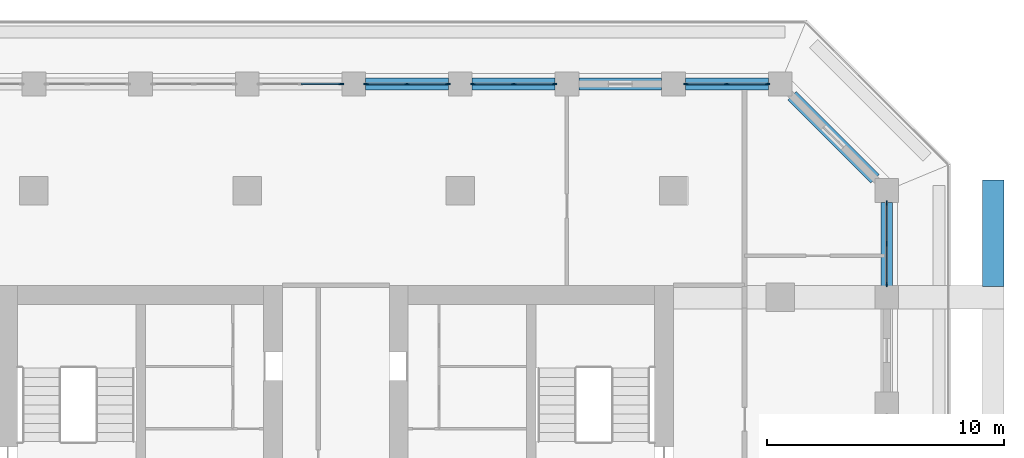
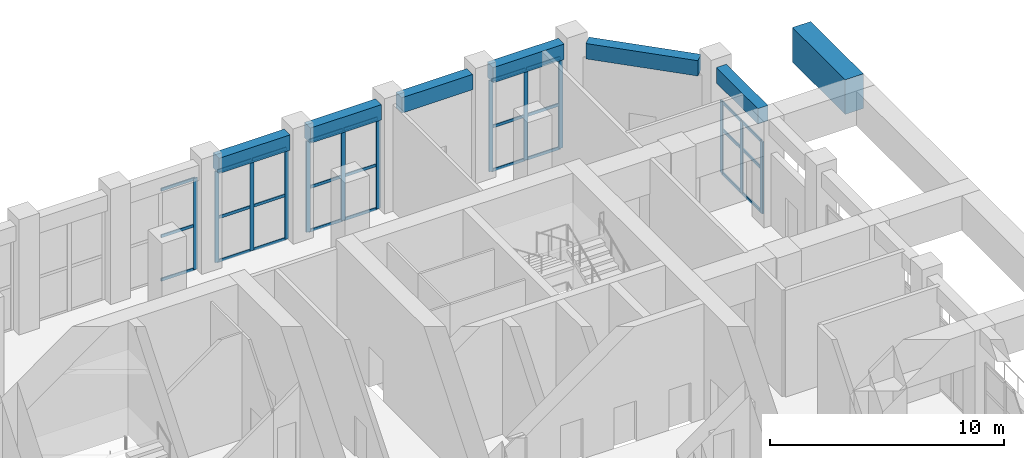
# One storey, part 9 of 25: 40 members, 7 beams, 5 elements without a shape of their own.
"""IFC4 building model written with IfcOpenShell, lengths in metres."""

from ifc_helpers import new_model, si_unit, direction, frame, origin, origin_2d, place, context, subcontext, project, spatial, rectangle, extrude, material, material_profile, profile_set, type_object, element, aggregate, save


model = new_model("IFC4")

# Units and contexts
model_context = context("Model", 3, precision=1e-05, world=origin(), true_north=direction((0.0, 1.0)))
body_context = subcontext(model_context, "Body", "Model", "MODEL_VIEW")
ifc_project = project(units=[si_unit("LENGTHUNIT", "METRE"), si_unit("AREAUNIT", "SQUARE_METRE"), si_unit("VOLUMEUNIT", "CUBIC_METRE"), si_unit("PLANEANGLEUNIT", "RADIAN"), si_unit("MASSUNIT", "GRAM", prefix="KILO")], contexts=[model_context])

# Site, building, storey
site_placement = place(None, origin())
site = spatial("IfcSite", under=ifc_project, at=site_placement, CompositionType="ELEMENT")
building_placement = place(site_placement, origin())
building = spatial("IfcBuilding", under=site, at=building_placement, Name="Corbel Stack Research Tower", CompositionType="ELEMENT")
storey_placement = place(building_placement, frame((0.0, 0.0, 185.5)))
storey = spatial("IfcBuildingStorey", under=building, at=storey_placement, Name="L42", CompositionType="ELEMENT", Elevation=185.5)

# Curtain wall, members
ifc_material_1 = material(Name="Aluminium frame, clear glass", Category="aluminium")
curtain_wall_type = type_object("IfcCurtainWallType", Name="Upper amenity floor curtain wall CW3", PredefinedType="NOTDEFINED", material=ifc_material_1)
curtain_wall_1_placement = place(storey_placement, origin())
curtain_wall_1 = element("IfcCurtainWall", 1, at=curtain_wall_1_placement, inside=storey, type_object=curtain_wall_type, Name="Curtain wall CW3 L42 E10", PredefinedType="NOTDEFINED")
ifc_material_2 = material(Name="Aluminium mullion", Category="aluminium")
ifc_material_profile_1 = material_profile(ifc_material_2, rectangle(XDim=0.06005859375, YDim=0.199951171875, at=origin_2d()), Name="Mullion 60 x 200")
ifc_profile_set_1 = profile_set([ifc_material_profile_1], Name="Aluminium mullion")
member_type_1 = type_object("IfcMemberType", Name="Curtain wall mullion 60 x 200", PredefinedType="MULLION", material=ifc_profile_set_1)
member_1_placement = place(storey_placement, frame((27.0, 18.530029296875, 0.0), z_axis=(0.0, 0.0, 1.0), x_axis=(-1.0, 0.0, 0.0)))
member_1 = element("IfcMember", 2, at=member_1_placement, type_object=member_type_1, Name="CW3 mullion 1", PredefinedType="MULLION", context=body_context, shape_type="SweptSolid", body=[
    extrude(rectangle(XDim=0.06005859375, YDim=0.199951171875, at=origin_2d()), origin(), (0.0, 0.0, 1.0), 3.75),
])
member_2_placement = place(storey_placement, frame((27.0, 20.25, 0.0), z_axis=(0.0, 0.0, 1.0), x_axis=(-1.0, 0.0, 0.0)))
member_2 = element("IfcMember", 3, at=member_2_placement, type_object=member_type_1, Name="CW3 mullion 2", PredefinedType="MULLION", context=body_context, shape_type="SweptSolid", body=[
    extrude(rectangle(XDim=0.06005859375, YDim=0.199951171875, at=origin_2d()), origin(), (0.0, 0.0, 1.0), 3.75),
])
member_3_placement = place(storey_placement, frame((27.0, 21.969970703125, 0.0), z_axis=(0.0, 0.0, 1.0), x_axis=(-1.0, 0.0, 0.0)))
member_3 = element("IfcMember", 4, at=member_3_placement, type_object=member_type_1, Name="CW3 mullion 3", PredefinedType="MULLION", context=body_context, shape_type="SweptSolid", body=[
    extrude(rectangle(XDim=0.06005859375, YDim=0.199951171875, at=origin_2d()), origin(), (0.0, 0.0, 1.0), 3.75),
])

curtain_wall_2_placement = place(storey_placement, origin())
curtain_wall_2 = element("IfcCurtainWall", 5, at=curtain_wall_2_placement, inside=storey, type_object=curtain_wall_type, Name="Curtain wall CW3 L42 N01", PredefinedType="NOTDEFINED")
member_4_placement = place(storey_placement, frame((21.969970703125, 27.0, 0.0), z_axis=(0.0, 0.0, 1.0), x_axis=(0.0, -1.0, 0.0)))
member_4 = element("IfcMember", 6, at=member_4_placement, type_object=member_type_1, Name="CW3 mullion 1", PredefinedType="MULLION", context=body_context, shape_type="SweptSolid", body=[
    extrude(rectangle(XDim=0.06005859375, YDim=0.199951171875, at=origin_2d()), origin(), (0.0, 0.0, 1.0), 4.75),
])
member_5_placement = place(storey_placement, frame((20.25, 27.0, 0.0), z_axis=(0.0, 0.0, 1.0), x_axis=(0.0, -1.0, 0.0)))
member_5 = element("IfcMember", 7, at=member_5_placement, type_object=member_type_1, Name="CW3 mullion 2", PredefinedType="MULLION", context=body_context, shape_type="SweptSolid", body=[
    extrude(rectangle(XDim=0.06005859375, YDim=0.199951171875, at=origin_2d()), origin(), (0.0, 0.0, 1.0), 4.75),
])
member_6_placement = place(storey_placement, frame((18.530029296875, 27.0, 0.0), z_axis=(0.0, 0.0, 1.0), x_axis=(0.0, -1.0, 0.0)))
member_6 = element("IfcMember", 8, at=member_6_placement, type_object=member_type_1, Name="CW3 mullion 3", PredefinedType="MULLION", context=body_context, shape_type="SweptSolid", body=[
    extrude(rectangle(XDim=0.06005859375, YDim=0.199951171875, at=origin_2d()), origin(), (0.0, 0.0, 1.0), 4.75),
])

curtain_wall_3_placement = place(storey_placement, origin())
curtain_wall_3 = element("IfcCurtainWall", 9, at=curtain_wall_3_placement, inside=storey, type_object=curtain_wall_type, Name="Curtain wall CW3 L42 N03", PredefinedType="NOTDEFINED")
member_7_placement = place(storey_placement, frame((12.969970703125, 27.0, 0.0), z_axis=(0.0, 0.0, 1.0), x_axis=(0.0, -1.0, 0.0)))
member_7 = element("IfcMember", 10, at=member_7_placement, type_object=member_type_1, Name="CW3 mullion 1", PredefinedType="MULLION", context=body_context, shape_type="SweptSolid", body=[
    extrude(rectangle(XDim=0.06005859375, YDim=0.199951171875, at=origin_2d()), origin(), (0.0, 0.0, 1.0), 4.75),
])
member_8_placement = place(storey_placement, frame((11.25, 27.0, 0.0), z_axis=(0.0, 0.0, 1.0), x_axis=(0.0, -1.0, 0.0)))
member_8 = element("IfcMember", 11, at=member_8_placement, type_object=member_type_1, Name="CW3 mullion 2", PredefinedType="MULLION", context=body_context, shape_type="SweptSolid", body=[
    extrude(rectangle(XDim=0.06005859375, YDim=0.199951171875, at=origin_2d()), origin(), (0.0, 0.0, 1.0), 4.75),
])
member_9_placement = place(storey_placement, frame((9.530029296875, 27.0, 0.0), z_axis=(0.0, 0.0, 1.0), x_axis=(0.0, -1.0, 0.0)))
member_9 = element("IfcMember", 12, at=member_9_placement, type_object=member_type_1, Name="CW3 mullion 3", PredefinedType="MULLION", context=body_context, shape_type="SweptSolid", body=[
    extrude(rectangle(XDim=0.06005859375, YDim=0.199951171875, at=origin_2d()), origin(), (0.0, 0.0, 1.0), 4.75),
])

curtain_wall_4_placement = place(storey_placement, origin())
curtain_wall_4 = element("IfcCurtainWall", 13, at=curtain_wall_4_placement, inside=storey, type_object=curtain_wall_type, Name="Curtain wall CW3 L42 N04", PredefinedType="NOTDEFINED")
member_10_placement = place(storey_placement, frame((8.469970703125, 27.0, 0.0), z_axis=(0.0, 0.0, 1.0), x_axis=(0.0, -1.0, 0.0)))
member_10 = element("IfcMember", 14, at=member_10_placement, type_object=member_type_1, Name="CW3 mullion 1", PredefinedType="MULLION", context=body_context, shape_type="SweptSolid", body=[
    extrude(rectangle(XDim=0.06005859375, YDim=0.199951171875, at=origin_2d()), origin(), (0.0, 0.0, 1.0), 4.75),
])
member_11_placement = place(storey_placement, frame((6.75, 27.0, 0.0), z_axis=(0.0, 0.0, 1.0), x_axis=(0.0, -1.0, 0.0)))
member_11 = element("IfcMember", 15, at=member_11_placement, type_object=member_type_1, Name="CW3 mullion 2", PredefinedType="MULLION", context=body_context, shape_type="SweptSolid", body=[
    extrude(rectangle(XDim=0.06005859375, YDim=0.199951171875, at=origin_2d()), origin(), (0.0, 0.0, 1.0), 4.75),
])
member_12_placement = place(storey_placement, frame((5.030029296875, 27.0, 0.0), z_axis=(0.0, 0.0, 1.0), x_axis=(0.0, -1.0, 0.0)))
member_12 = element("IfcMember", 16, at=member_12_placement, type_object=member_type_1, Name="CW3 mullion 3", PredefinedType="MULLION", context=body_context, shape_type="SweptSolid", body=[
    extrude(rectangle(XDim=0.06005859375, YDim=0.199951171875, at=origin_2d()), origin(), (0.0, 0.0, 1.0), 4.75),
])

# Curtain wall, member
curtain_wall_5_placement = place(storey_placement, origin())
curtain_wall_5 = element("IfcCurtainWall", 17, at=curtain_wall_5_placement, inside=storey, type_object=curtain_wall_type, Name="Curtain wall CW3 L42 N05", PredefinedType="NOTDEFINED")
member_13_placement = place(storey_placement, frame((3.969970703125, 27.0, 0.0), z_axis=(0.0, 0.0, 1.0), x_axis=(0.0, -1.0, 0.0)))
member_13 = element("IfcMember", 18, at=member_13_placement, type_object=member_type_1, Name="CW3 mullion 1", PredefinedType="MULLION", context=body_context, shape_type="SweptSolid", body=[
    extrude(rectangle(XDim=0.06005859375, YDim=0.199951171875, at=origin_2d()), origin(), (0.0, 0.0, 1.0), 4.75),
])

# Member
ifc_material_3 = material(Name="Aluminium transom", Category="aluminium")
ifc_material_profile_2 = material_profile(ifc_material_3, rectangle(XDim=0.06005859375, YDim=0.14990234375, at=origin_2d()), Name="Transom 60 x 150")
ifc_profile_set_2 = profile_set([ifc_material_profile_2], Name="Aluminium transom")
member_type_2 = type_object("IfcMemberType", Name="Curtain wall transom 60 x 150", PredefinedType="USERDEFINED", material=ifc_profile_set_2)
member_14_placement = place(storey_placement, frame((27.0, 18.56005859375, 0.030029296875), z_axis=(0.0, 1.0, 0.0), x_axis=(-1.0, 0.0, 0.0)))
member_14 = element("IfcMember", 19, at=member_14_placement, type_object=member_type_2, Name="CW3 transom 1.1", ObjectType="TRANSOM", PredefinedType="USERDEFINED", context=body_context, shape_type="SweptSolid", body=[
    extrude(rectangle(XDim=0.06005859375, YDim=0.14990234375, at=origin_2d()), origin(), (0.0, 0.0, 1.0), 1.659912109375),
])

member_15_placement = place(storey_placement, frame((27.0, 18.56005859375, 2.300048828125), z_axis=(0.0, 1.0, 0.0), x_axis=(-1.0, 0.0, 0.0)))
member_15 = element("IfcMember", 20, at=member_15_placement, type_object=member_type_2, Name="CW3 transom 1.2", ObjectType="TRANSOM", PredefinedType="USERDEFINED", context=body_context, shape_type="SweptSolid", body=[
    extrude(rectangle(XDim=0.06005859375, YDim=0.14990234375, at=origin_2d()), origin(), (0.0, 0.0, 1.0), 1.659912109375),
])

member_16_placement = place(storey_placement, frame((27.0, 18.56005859375, 3.719970703125), z_axis=(0.0, 1.0, 0.0), x_axis=(-1.0, 0.0, 0.0)))
member_16 = element("IfcMember", 21, at=member_16_placement, type_object=member_type_2, Name="CW3 transom 1.3", ObjectType="TRANSOM", PredefinedType="USERDEFINED", context=body_context, shape_type="SweptSolid", body=[
    extrude(rectangle(XDim=0.06005859375, YDim=0.14990234375, at=origin_2d()), origin(), (0.0, 0.0, 1.0), 1.659912109375),
])

member_17_placement = place(storey_placement, frame((27.0, 20.280029296875, 0.030029296875), z_axis=(0.0, 1.0, 0.0), x_axis=(-1.0, 0.0, 0.0)))
member_17 = element("IfcMember", 22, at=member_17_placement, type_object=member_type_2, Name="CW3 transom 2.1", ObjectType="TRANSOM", PredefinedType="USERDEFINED", context=body_context, shape_type="SweptSolid", body=[
    extrude(rectangle(XDim=0.06005859375, YDim=0.14990234375, at=origin_2d()), origin(), (0.0, 0.0, 1.0), 1.659912109375),
])

member_18_placement = place(storey_placement, frame((27.0, 20.280029296875, 2.300048828125), z_axis=(0.0, 1.0, 0.0), x_axis=(-1.0, 0.0, 0.0)))
member_18 = element("IfcMember", 23, at=member_18_placement, type_object=member_type_2, Name="CW3 transom 2.2", ObjectType="TRANSOM", PredefinedType="USERDEFINED", context=body_context, shape_type="SweptSolid", body=[
    extrude(rectangle(XDim=0.06005859375, YDim=0.14990234375, at=origin_2d()), origin(), (0.0, 0.0, 1.0), 1.659912109375),
])

member_19_placement = place(storey_placement, frame((27.0, 20.280029296875, 3.719970703125), z_axis=(0.0, 1.0, 0.0), x_axis=(-1.0, 0.0, 0.0)))
member_19 = element("IfcMember", 24, at=member_19_placement, type_object=member_type_2, Name="CW3 transom 2.3", ObjectType="TRANSOM", PredefinedType="USERDEFINED", context=body_context, shape_type="SweptSolid", body=[
    extrude(rectangle(XDim=0.06005859375, YDim=0.14990234375, at=origin_2d()), origin(), (0.0, 0.0, 1.0), 1.659912109375),
])

aggregate(curtain_wall_1, [member_1, member_2, member_3, member_14, member_15, member_16, member_17, member_18, member_19])

member_20_placement = place(storey_placement, frame((21.93994140625, 27.0, 0.030029296875), z_axis=(-1.0, 0.0, 0.0), x_axis=(0.0, -1.0, 0.0)))
member_20 = element("IfcMember", 25, at=member_20_placement, type_object=member_type_2, Name="CW3 transom 1.1", ObjectType="TRANSOM", PredefinedType="USERDEFINED", context=body_context, shape_type="SweptSolid", body=[
    extrude(rectangle(XDim=0.06005859375, YDim=0.14990234375, at=origin_2d()), origin(), (0.0, 0.0, 1.0), 1.659912109375),
])

member_21_placement = place(storey_placement, frame((21.93994140625, 27.0, 2.300048828125), z_axis=(-1.0, 0.0, 0.0), x_axis=(0.0, -1.0, 0.0)))
member_21 = element("IfcMember", 26, at=member_21_placement, type_object=member_type_2, Name="CW3 transom 1.2", ObjectType="TRANSOM", PredefinedType="USERDEFINED", context=body_context, shape_type="SweptSolid", body=[
    extrude(rectangle(XDim=0.06005859375, YDim=0.14990234375, at=origin_2d()), origin(), (0.0, 0.0, 1.0), 1.659912109375),
])

member_22_placement = place(storey_placement, frame((21.93994140625, 27.0, 4.719970703125), z_axis=(-1.0, 0.0, 0.0), x_axis=(0.0, -1.0, 0.0)))
member_22 = element("IfcMember", 27, at=member_22_placement, type_object=member_type_2, Name="CW3 transom 1.3", ObjectType="TRANSOM", PredefinedType="USERDEFINED", context=body_context, shape_type="SweptSolid", body=[
    extrude(rectangle(XDim=0.06005859375, YDim=0.14990234375, at=origin_2d()), origin(), (0.0, 0.0, 1.0), 1.659912109375),
])

member_23_placement = place(storey_placement, frame((20.219970703125, 27.0, 0.030029296875), z_axis=(-1.0, 0.0, 0.0), x_axis=(0.0, -1.0, 0.0)))
member_23 = element("IfcMember", 28, at=member_23_placement, type_object=member_type_2, Name="CW3 transom 2.1", ObjectType="TRANSOM", PredefinedType="USERDEFINED", context=body_context, shape_type="SweptSolid", body=[
    extrude(rectangle(XDim=0.06005859375, YDim=0.14990234375, at=origin_2d()), origin(), (0.0, 0.0, 1.0), 1.659912109375),
])

member_24_placement = place(storey_placement, frame((20.219970703125, 27.0, 2.300048828125), z_axis=(-1.0, 0.0, 0.0), x_axis=(0.0, -1.0, 0.0)))
member_24 = element("IfcMember", 29, at=member_24_placement, type_object=member_type_2, Name="CW3 transom 2.2", ObjectType="TRANSOM", PredefinedType="USERDEFINED", context=body_context, shape_type="SweptSolid", body=[
    extrude(rectangle(XDim=0.06005859375, YDim=0.14990234375, at=origin_2d()), origin(), (0.0, 0.0, 1.0), 1.659912109375),
])

member_25_placement = place(storey_placement, frame((20.219970703125, 27.0, 4.719970703125), z_axis=(-1.0, 0.0, 0.0), x_axis=(0.0, -1.0, 0.0)))
member_25 = element("IfcMember", 30, at=member_25_placement, type_object=member_type_2, Name="CW3 transom 2.3", ObjectType="TRANSOM", PredefinedType="USERDEFINED", context=body_context, shape_type="SweptSolid", body=[
    extrude(rectangle(XDim=0.06005859375, YDim=0.14990234375, at=origin_2d()), origin(), (0.0, 0.0, 1.0), 1.659912109375),
])

aggregate(curtain_wall_2, [member_4, member_5, member_6, member_20, member_21, member_22, member_23, member_24, member_25])

member_26_placement = place(storey_placement, frame((12.93994140625, 27.0, 0.030029296875), z_axis=(-1.0, 0.0, 0.0), x_axis=(0.0, -1.0, 0.0)))
member_26 = element("IfcMember", 31, at=member_26_placement, type_object=member_type_2, Name="CW3 transom 1.1", ObjectType="TRANSOM", PredefinedType="USERDEFINED", context=body_context, shape_type="SweptSolid", body=[
    extrude(rectangle(XDim=0.06005859375, YDim=0.14990234375, at=origin_2d()), origin(), (0.0, 0.0, 1.0), 1.659912109375),
])

member_27_placement = place(storey_placement, frame((12.93994140625, 27.0, 2.300048828125), z_axis=(-1.0, 0.0, 0.0), x_axis=(0.0, -1.0, 0.0)))
member_27 = element("IfcMember", 32, at=member_27_placement, type_object=member_type_2, Name="CW3 transom 1.2", ObjectType="TRANSOM", PredefinedType="USERDEFINED", context=body_context, shape_type="SweptSolid", body=[
    extrude(rectangle(XDim=0.06005859375, YDim=0.14990234375, at=origin_2d()), origin(), (0.0, 0.0, 1.0), 1.659912109375),
])

member_28_placement = place(storey_placement, frame((12.93994140625, 27.0, 4.719970703125), z_axis=(-1.0, 0.0, 0.0), x_axis=(0.0, -1.0, 0.0)))
member_28 = element("IfcMember", 33, at=member_28_placement, type_object=member_type_2, Name="CW3 transom 1.3", ObjectType="TRANSOM", PredefinedType="USERDEFINED", context=body_context, shape_type="SweptSolid", body=[
    extrude(rectangle(XDim=0.06005859375, YDim=0.14990234375, at=origin_2d()), origin(), (0.0, 0.0, 1.0), 1.659912109375),
])

member_29_placement = place(storey_placement, frame((11.219970703125, 27.0, 0.030029296875), z_axis=(-1.0, 0.0, 0.0), x_axis=(0.0, -1.0, 0.0)))
member_29 = element("IfcMember", 34, at=member_29_placement, type_object=member_type_2, Name="CW3 transom 2.1", ObjectType="TRANSOM", PredefinedType="USERDEFINED", context=body_context, shape_type="SweptSolid", body=[
    extrude(rectangle(XDim=0.06005859375, YDim=0.14990234375, at=origin_2d()), origin(), (0.0, 0.0, 1.0), 1.659912109375),
])

member_30_placement = place(storey_placement, frame((11.219970703125, 27.0, 2.300048828125), z_axis=(-1.0, 0.0, 0.0), x_axis=(0.0, -1.0, 0.0)))
member_30 = element("IfcMember", 35, at=member_30_placement, type_object=member_type_2, Name="CW3 transom 2.2", ObjectType="TRANSOM", PredefinedType="USERDEFINED", context=body_context, shape_type="SweptSolid", body=[
    extrude(rectangle(XDim=0.06005859375, YDim=0.14990234375, at=origin_2d()), origin(), (0.0, 0.0, 1.0), 1.659912109375),
])

member_31_placement = place(storey_placement, frame((11.219970703125, 27.0, 4.719970703125), z_axis=(-1.0, 0.0, 0.0), x_axis=(0.0, -1.0, 0.0)))
member_31 = element("IfcMember", 36, at=member_31_placement, type_object=member_type_2, Name="CW3 transom 2.3", ObjectType="TRANSOM", PredefinedType="USERDEFINED", context=body_context, shape_type="SweptSolid", body=[
    extrude(rectangle(XDim=0.06005859375, YDim=0.14990234375, at=origin_2d()), origin(), (0.0, 0.0, 1.0), 1.659912109375),
])

aggregate(curtain_wall_3, [member_7, member_8, member_9, member_26, member_27, member_28, member_29, member_30, member_31])

member_32_placement = place(storey_placement, frame((8.43994140625, 27.0, 0.030029296875), z_axis=(-1.0, 0.0, 0.0), x_axis=(0.0, -1.0, 0.0)))
member_32 = element("IfcMember", 37, at=member_32_placement, type_object=member_type_2, Name="CW3 transom 1.1", ObjectType="TRANSOM", PredefinedType="USERDEFINED", context=body_context, shape_type="SweptSolid", body=[
    extrude(rectangle(XDim=0.06005859375, YDim=0.14990234375, at=origin_2d()), origin(), (0.0, 0.0, 1.0), 1.659912109375),
])

member_33_placement = place(storey_placement, frame((8.43994140625, 27.0, 2.300048828125), z_axis=(-1.0, 0.0, 0.0), x_axis=(0.0, -1.0, 0.0)))
member_33 = element("IfcMember", 38, at=member_33_placement, type_object=member_type_2, Name="CW3 transom 1.2", ObjectType="TRANSOM", PredefinedType="USERDEFINED", context=body_context, shape_type="SweptSolid", body=[
    extrude(rectangle(XDim=0.06005859375, YDim=0.14990234375, at=origin_2d()), origin(), (0.0, 0.0, 1.0), 1.659912109375),
])

member_34_placement = place(storey_placement, frame((8.43994140625, 27.0, 4.719970703125), z_axis=(-1.0, 0.0, 0.0), x_axis=(0.0, -1.0, 0.0)))
member_34 = element("IfcMember", 39, at=member_34_placement, type_object=member_type_2, Name="CW3 transom 1.3", ObjectType="TRANSOM", PredefinedType="USERDEFINED", context=body_context, shape_type="SweptSolid", body=[
    extrude(rectangle(XDim=0.06005859375, YDim=0.14990234375, at=origin_2d()), origin(), (0.0, 0.0, 1.0), 1.659912109375),
])

member_35_placement = place(storey_placement, frame((6.719970703125, 27.0, 0.030029296875), z_axis=(-1.0, 0.0, 0.0), x_axis=(0.0, -1.0, 0.0)))
member_35 = element("IfcMember", 40, at=member_35_placement, type_object=member_type_2, Name="CW3 transom 2.1", ObjectType="TRANSOM", PredefinedType="USERDEFINED", context=body_context, shape_type="SweptSolid", body=[
    extrude(rectangle(XDim=0.06005859375, YDim=0.14990234375, at=origin_2d()), origin(), (0.0, 0.0, 1.0), 1.659912109375),
])

member_36_placement = place(storey_placement, frame((6.719970703125, 27.0, 2.300048828125), z_axis=(-1.0, 0.0, 0.0), x_axis=(0.0, -1.0, 0.0)))
member_36 = element("IfcMember", 41, at=member_36_placement, type_object=member_type_2, Name="CW3 transom 2.2", ObjectType="TRANSOM", PredefinedType="USERDEFINED", context=body_context, shape_type="SweptSolid", body=[
    extrude(rectangle(XDim=0.06005859375, YDim=0.14990234375, at=origin_2d()), origin(), (0.0, 0.0, 1.0), 1.659912109375),
])

member_37_placement = place(storey_placement, frame((6.719970703125, 27.0, 4.719970703125), z_axis=(-1.0, 0.0, 0.0), x_axis=(0.0, -1.0, 0.0)))
member_37 = element("IfcMember", 42, at=member_37_placement, type_object=member_type_2, Name="CW3 transom 2.3", ObjectType="TRANSOM", PredefinedType="USERDEFINED", context=body_context, shape_type="SweptSolid", body=[
    extrude(rectangle(XDim=0.06005859375, YDim=0.14990234375, at=origin_2d()), origin(), (0.0, 0.0, 1.0), 1.659912109375),
])

aggregate(curtain_wall_4, [member_10, member_11, member_12, member_32, member_33, member_34, member_35, member_36, member_37])

member_38_placement = place(storey_placement, frame((3.93994140625, 27.0, 0.030029296875), z_axis=(-1.0, 0.0, 0.0), x_axis=(0.0, -1.0, 0.0)))
member_38 = element("IfcMember", 43, at=member_38_placement, type_object=member_type_2, Name="CW3 transom 1.1", ObjectType="TRANSOM", PredefinedType="USERDEFINED", context=body_context, shape_type="SweptSolid", body=[
    extrude(rectangle(XDim=0.06005859375, YDim=0.14990234375, at=origin_2d()), origin(), (0.0, 0.0, 1.0), 1.659912109375),
])

member_39_placement = place(storey_placement, frame((3.93994140625, 27.0, 2.300048828125), z_axis=(-1.0, 0.0, 0.0), x_axis=(0.0, -1.0, 0.0)))
member_39 = element("IfcMember", 44, at=member_39_placement, type_object=member_type_2, Name="CW3 transom 1.2", ObjectType="TRANSOM", PredefinedType="USERDEFINED", context=body_context, shape_type="SweptSolid", body=[
    extrude(rectangle(XDim=0.06005859375, YDim=0.14990234375, at=origin_2d()), origin(), (0.0, 0.0, 1.0), 1.659912109375),
])

member_40_placement = place(storey_placement, frame((3.93994140625, 27.0, 4.719970703125), z_axis=(-1.0, 0.0, 0.0), x_axis=(0.0, -1.0, 0.0)))
member_40 = element("IfcMember", 45, at=member_40_placement, type_object=member_type_2, Name="CW3 transom 1.3", ObjectType="TRANSOM", PredefinedType="USERDEFINED", context=body_context, shape_type="SweptSolid", body=[
    extrude(rectangle(XDim=0.06005859375, YDim=0.14990234375, at=origin_2d()), origin(), (0.0, 0.0, 1.0), 1.659912109375),
])

aggregate(curtain_wall_5, [member_13, member_38, member_39, member_40])

# Beams
ifc_material_4 = material(Name="Concrete C60/75", Category="concrete")
ifc_material_profile_3 = material_profile(ifc_material_4, rectangle(XDim=0.5, YDim=0.800048828125, at=origin_2d()), Name="RC 500 x 800")
ifc_profile_set_3 = profile_set([ifc_material_profile_3], Name="Concrete C60/75")
beam_type_1 = type_object("IfcBeamType", Name="SB-500-800-450", PredefinedType="SPANDREL", material=ifc_profile_set_3)
beam_1_placement = place(storey_placement, frame((27.0, 18.449951171875, 5.14990234375), z_axis=(0.0, 1.0, 0.0), x_axis=(-1.0, 0.0, 0.0)))
element("IfcBeam", 46, at=beam_1_placement, inside=storey, type_object=beam_type_1, Name="Spandrel beam L42-21", PredefinedType="SPANDREL", context=body_context, shape_type="SweptSolid", body=[
    extrude(rectangle(XDim=0.5, YDim=0.800048828125, at=origin_2d()), origin(), (0.0, 0.0, 1.0), 3.550048828125),
])
beam_2_placement = place(storey_placement, frame((26.5, 23.0, 5.14990234375), z_axis=(-0.707106781187, 0.707106781187, 0.0), x_axis=(-0.707106781187, -0.707106781187, 0.0)))
element("IfcBeam", 47, at=beam_2_placement, inside=storey, type_object=beam_type_1, Name="Spandrel beam L42-22", PredefinedType="SPANDREL", context=body_context, shape_type="SweptSolid", body=[
    extrude(rectangle(XDim=0.5, YDim=0.800048828125, at=origin_2d()), origin(), (0.0, 0.0, 1.0), 4.94970703125),
])
for number, where, z_axis, x_axis, name in (
    (48, (22.0, 27.0, 5.14990234375), (-1.0, 0.0, 0.0), (0.0, -1.0, 0.0), "Spandrel beam L42-23"),
    (49, (17.5, 27.0, 5.14990234375), (-1.0, 0.0, 0.0), (0.0, -1.0, 0.0), "Spandrel beam L42-24"),
    (50, (13.0, 27.0, 5.14990234375), (-1.0, 0.0, 0.0), (0.0, -1.0, 0.0), "Spandrel beam L42-25"),
    (51, (8.5, 27.0, 5.14990234375), (-1.0, 0.0, 0.0), (0.0, -1.0, 0.0), "Spandrel beam L42-26"),
):
    element("IfcBeam", number, at=place(storey_placement, frame(where, z_axis=z_axis, x_axis=x_axis)), inside=storey, type_object=beam_type_1, Name=name, PredefinedType="SPANDREL", context=body_context, shape_type="SweptSolid", body=[
        extrude(rectangle(XDim=0.5, YDim=0.800048828125, at=origin_2d()), origin(), (0.0, 0.0, 1.0), 3.5),
    ])
ifc_material_5 = material(Name="Concrete C60/75", Category="concrete")
ifc_material_profile_4 = material_profile(ifc_material_5, rectangle(XDim=0.89990234375, YDim=1.800048828125, at=origin_2d()), Name="RC 900 x 1800")
ifc_profile_set_4 = profile_set([ifc_material_profile_4], Name="Concrete C60/75")
beam_type_2 = type_object("IfcBeamType", Name="TG-900-1800", PredefinedType="BEAM", material=ifc_profile_set_4)
beam_3_placement = place(storey_placement, frame((31.5, 18.449951171875, 4.64990234375), z_axis=(0.0, 1.0, 0.0), x_axis=(-1.0, 0.0, 0.0)))
element("IfcBeam", 52, at=beam_3_placement, inside=storey, type_object=beam_type_2, Name="Transfer edge beam L42 Eehi", PredefinedType="BEAM", context=body_context, shape_type="SweptSolid", body=[
    extrude(rectangle(XDim=0.89990234375, YDim=1.800048828125, at=origin_2d()), origin(), (0.0, 0.0, 1.0), 4.5),
])

save(model, "model.ifc")
